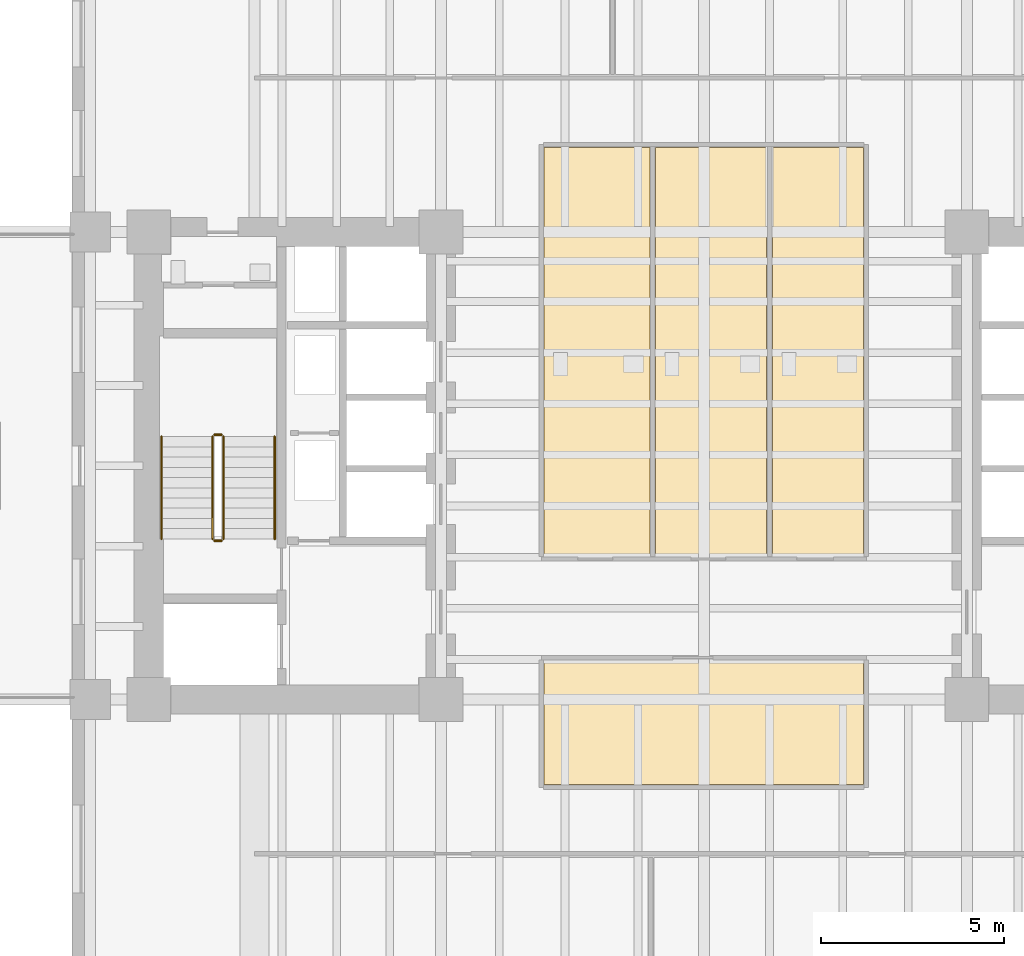
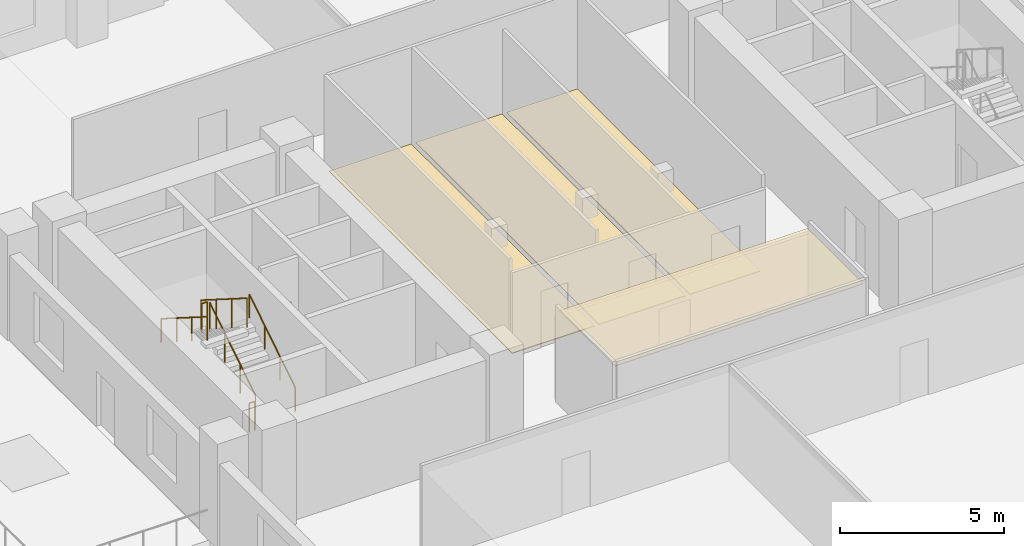
# One storey, part 8 of 11: 6 railings, 4 coverings.
"""IFC4 building model written with IfcOpenShell, lengths in metres."""

from ifc_helpers import new_model, si_unit, direction, frame, origin, origin_2d, place, context, subcontext, project, spatial, polyline, circle, outline, extrude, material, layer, layer_set, type_object, element, save


model = new_model("IFC4")

# Units and contexts
model_context = context("Model", 3, precision=1e-05, world=origin(), true_north=direction((0.0, 1.0)))
body_context = subcontext(model_context, "Body", "Model", "MODEL_VIEW")
ifc_project = project(units=[si_unit("LENGTHUNIT", "METRE"), si_unit("AREAUNIT", "SQUARE_METRE"), si_unit("VOLUMEUNIT", "CUBIC_METRE"), si_unit("PLANEANGLEUNIT", "RADIAN"), si_unit("MASSUNIT", "GRAM", prefix="KILO")], contexts=[model_context])

# Site, building, storey
site_placement = place(None, origin())
site = spatial("IfcSite", under=ifc_project, at=site_placement, CompositionType="ELEMENT")
building_placement = place(site_placement, origin())
building = spatial("IfcBuilding", under=site, at=building_placement, Name="Kranthara Brick Stack", CompositionType="ELEMENT")
storey_placement = place(building_placement, frame((0.0, 0.0, 47.699951171875)))
storey = spatial("IfcBuildingStorey", under=building, at=storey_placement, Name="L11", CompositionType="ELEMENT", Elevation=47.699951171875)

# Coverings
ifc_material_1 = material(Name="Perforated mineral-fibre acoustic ceiling tile", Category="other")
ifc_layer_1 = layer(ifc_material_1, 0.02490234375)
ifc_layer_set_1 = layer_set([ifc_layer_1], Name="Perforated mineral-fibre acoustic ceiling tile")
covering_type_1 = type_object("IfcCoveringType", Name="COV-CEIL-ACOUSTIC", PredefinedType="CEILING", material=ifc_layer_set_1)
covering_1_placement = place(storey_placement, frame((0.0, 0.0, 3.330078125)))
element("IfcCovering", 1, at=covering_1_placement, inside=storey, type_object=covering_type_1, Name="L11 L11 Central Executive Briefing Room Acoustic Ceiling", PredefinedType="CEILING", context=body_context, shape_type="SweptSolid", body=[
    extrude(outline(polyline([(32.3701171875, 18.47998046875), (32.3701171875, 21.8798828125), (23.6298828125, 21.8798828125), (23.6298828125, 18.47998046875), (32.3701171875, 18.47998046875)])), origin(), (0.0, 0.0, 1.0), 0.02490234375),
])
ifc_material_2 = material(Name="Honed terrazzo and porcelain floor finish", Category="stone")
ifc_layer_2 = layer(ifc_material_2, 0.030029296875)
ifc_layer_set_2 = layer_set([ifc_layer_2], Name="Honed terrazzo and porcelain floor finish")
covering_type_2 = type_object("IfcCoveringType", Name="COV-FLOR-STONE", PredefinedType="FLOORING", material=ifc_layer_set_2)
covering_2_placement = place(storey_placement, origin())
element("IfcCovering", 2, at=covering_2_placement, inside=storey, type_object=covering_type_2, Name="L11 Wet Room Porcelain Flooring", PredefinedType="FLOORING", context=body_context, shape_type="SweptSolid", body=[
    extrude(outline(polyline([(26.52001953125, 24.75), (26.52001953125, 35.919921875), (23.6298828125, 35.919921875), (23.6298828125, 24.75), (26.52001953125, 24.75)])), origin(), (0.0, 0.0, 1.0), 0.030029296875),
])
covering_3_placement = place(storey_placement, origin())
element("IfcCovering", 3, at=covering_3_placement, inside=storey, type_object=covering_type_2, Name="L11 Wet Room Porcelain Flooring", PredefinedType="FLOORING", context=body_context, shape_type="SweptSolid", body=[
    extrude(outline(polyline([(29.719970703125, 24.75), (29.719970703125, 35.919921875), (26.679931640625, 35.919921875), (26.679931640625, 24.75), (29.719970703125, 24.75)])), origin(), (0.0, 0.0, 1.0), 0.030029296875),
])
covering_4_placement = place(storey_placement, origin())
element("IfcCovering", 4, at=covering_4_placement, inside=storey, type_object=covering_type_2, Name="L11 Wet Room Porcelain Flooring", PredefinedType="FLOORING", context=body_context, shape_type="SweptSolid", body=[
    extrude(outline(polyline([(32.3701171875, 24.75), (32.3701171875, 35.919921875), (29.8798828125, 35.919921875), (29.8798828125, 24.75), (32.3701171875, 24.75)])), origin(), (0.0, 0.0, 1.0), 0.030029296875),
])

# Railings
ifc_material_3 = material(Name="Painted galvanized steel stair guardrail", Category="steel")
railing_type_1 = type_object("IfcRailingType", Name="RL-STAIR-GUARD-1100", PredefinedType="GUARDRAIL", material=ifc_material_3)
railing_1_placement = place(storey_placement, frame((14.85009765625, 25.199951171875, 0.17724609375)))
element("IfcRailing", 5, at=railing_1_placement, inside=storey, type_object=railing_type_1, Name="L11 ST01 stair guard 1", PredefinedType="GUARDRAIL", context=body_context, shape_type="SweptSolid", body=[
    extrude(circle(Radius=0.02392578125, at=origin_2d()), frame((0.0, 0.0, 1.076171875), z_axis=(0.0, 0.844908973607, 0.534910110503), x_axis=(-1.0, 0.0, 0.0)), (0.0, 0.0, 1.0), 3.31396484375),
    extrude(circle(Radius=0.02099609375, at=origin_2d()), origin(), (0.0, 0.0, 1.0), 1.052001953125),
    extrude(circle(Radius=0.02099609375, at=origin_2d()), frame((0.0, 0.933349609375, 0.5908203125)), (0.0, 0.0, 1.0), 1.052001953125),
    extrude(circle(Radius=0.02099609375, at=origin_2d()), frame((0.0, 1.86669921875, 1.181884765625)), (0.0, 0.0, 1.0), 1.052001953125),
    extrude(circle(Radius=0.02099609375, at=origin_2d()), frame((0.0, 2.800048828125, 1.772705078125)), (0.0, 0.0, 1.0), 1.052001953125),
])
railing_2_placement = place(storey_placement, frame((14.800048828125, 28.050048828125, 1.949951171875)))
element("IfcRailing", 6, at=railing_2_placement, inside=storey, type_object=railing_type_1, Name="L11 ST01 stair guard 2", PredefinedType="GUARDRAIL", context=body_context, shape_type="SweptSolid", body=[
    extrude(circle(Radius=0.02392578125, at=origin_2d()), frame((0.0, 0.0, 1.076171875), z_axis=(-1.0, 0.0, 0.0), x_axis=(0.0, -1.0, 0.0)), (0.0, 0.0, 1.0), 0.199951171875),
    extrude(circle(Radius=0.02099609375, at=origin_2d()), origin(), (0.0, 0.0, 1.0), 1.052001953125),
    extrude(circle(Radius=0.02099609375, at=origin_2d()), frame((-0.199951171875, 0.0, 0.0)), (0.0, 0.0, 1.0), 1.052001953125),
])
railing_3_placement = place(storey_placement, frame((14.550048828125, 28.0, 2.12744140625)))
element("IfcRailing", 7, at=railing_3_placement, inside=storey, type_object=railing_type_1, Name="L11 ST01 stair guard 3", PredefinedType="GUARDRAIL", context=body_context, shape_type="SweptSolid", body=[
    extrude(circle(Radius=0.02392578125, at=origin_2d()), frame((0.0, 0.0, 1.076171875), z_axis=(0.0, -0.844908973607, 0.534910110503), x_axis=(1.0, 0.0, 0.0)), (0.0, 0.0, 1.0), 3.31396484375),
    extrude(circle(Radius=0.02099609375, at=origin_2d()), origin(), (0.0, 0.0, 1.0), 1.052001953125),
    extrude(circle(Radius=0.02099609375, at=origin_2d()), frame((0.0, -0.933349609375, 0.5908203125)), (0.0, 0.0, 1.0), 1.052001953125),
    extrude(circle(Radius=0.02099609375, at=origin_2d()), frame((0.0, -1.86669921875, 1.181884765625)), (0.0, 0.0, 1.0), 1.052001953125),
    extrude(circle(Radius=0.02099609375, at=origin_2d()), frame((0.0, -2.800048828125, 1.772705078125)), (0.0, 0.0, 1.0), 1.052001953125),
])
railing_4_placement = place(storey_placement, frame((14.800048828125, 25.14990234375, 0.0)))
element("IfcRailing", 8, at=railing_4_placement, inside=storey, type_object=railing_type_1, Name="L11 ST01 stair guard 4", PredefinedType="GUARDRAIL", context=body_context, shape_type="SweptSolid", body=[
    extrude(circle(Radius=0.02392578125, at=origin_2d()), frame((0.0, 0.0, 1.076171875), z_axis=(-1.0, 0.0, 0.0), x_axis=(0.0, -1.0, 0.0)), (0.0, 0.0, 1.0), 0.199951171875),
    extrude(circle(Radius=0.02099609375, at=origin_2d()), origin(), (0.0, 0.0, 1.0), 1.052001953125),
    extrude(circle(Radius=0.02099609375, at=origin_2d()), frame((-0.199951171875, 0.0, 0.0)), (0.0, 0.0, 1.0), 1.052001953125),
])
ifc_material_4 = material(Name="Brushed stainless steel tubular handrail", Category="steel")
railing_type_2 = type_object("IfcRailingType", Name="RL-STAIR-HAND-900", PredefinedType="HANDRAIL", material=ifc_material_4)
railing_5_placement = place(storey_placement, frame((16.25, 25.199951171875, 0.17724609375)))
element("IfcRailing", 9, at=railing_5_placement, inside=storey, type_object=railing_type_2, Name="L11 ST01 stair handrail 1", PredefinedType="HANDRAIL", context=body_context, shape_type="SweptSolid", body=[
    extrude(circle(Radius=0.02392578125, at=origin_2d()), frame((0.0, 0.0, 0.8759765625), z_axis=(0.0, 0.844908973607, 0.534910110503), x_axis=(-1.0, 0.0, 0.0)), (0.0, 0.0, 1.0), 3.31396484375),
    extrude(circle(Radius=0.02099609375, at=origin_2d()), origin(), (0.0, 0.0, 1.0), 0.851806640625),
    extrude(circle(Radius=0.02099609375, at=origin_2d()), frame((0.0, 0.933349609375, 0.5908203125)), (0.0, 0.0, 1.0), 0.851806640625),
    extrude(circle(Radius=0.02099609375, at=origin_2d()), frame((0.0, 1.86669921875, 1.181884765625)), (0.0, 0.0, 1.0), 0.851806640625),
    extrude(circle(Radius=0.02099609375, at=origin_2d()), frame((0.0, 2.800048828125, 1.772705078125)), (0.0, 0.0, 1.0), 0.851806640625),
])
railing_6_placement = place(storey_placement, frame((13.14990234375, 28.0, 2.12744140625)))
element("IfcRailing", 10, at=railing_6_placement, inside=storey, type_object=railing_type_2, Name="L11 ST01 stair handrail 2", PredefinedType="HANDRAIL", context=body_context, shape_type="SweptSolid", body=[
    extrude(circle(Radius=0.02392578125, at=origin_2d()), frame((0.0, 0.0, 0.8759765625), z_axis=(0.0, -0.844908973607, 0.534910110503), x_axis=(1.0, 0.0, 0.0)), (0.0, 0.0, 1.0), 3.31396484375),
    extrude(circle(Radius=0.02099609375, at=origin_2d()), origin(), (0.0, 0.0, 1.0), 0.851806640625),
    extrude(circle(Radius=0.02099609375, at=origin_2d()), frame((0.0, -0.933349609375, 0.5908203125)), (0.0, 0.0, 1.0), 0.851806640625),
    extrude(circle(Radius=0.02099609375, at=origin_2d()), frame((0.0, -1.86669921875, 1.181884765625)), (0.0, 0.0, 1.0), 0.851806640625),
    extrude(circle(Radius=0.02099609375, at=origin_2d()), frame((0.0, -2.800048828125, 1.772705078125)), (0.0, 0.0, 1.0), 0.851806640625),
])

save(model, "model.ifc")
